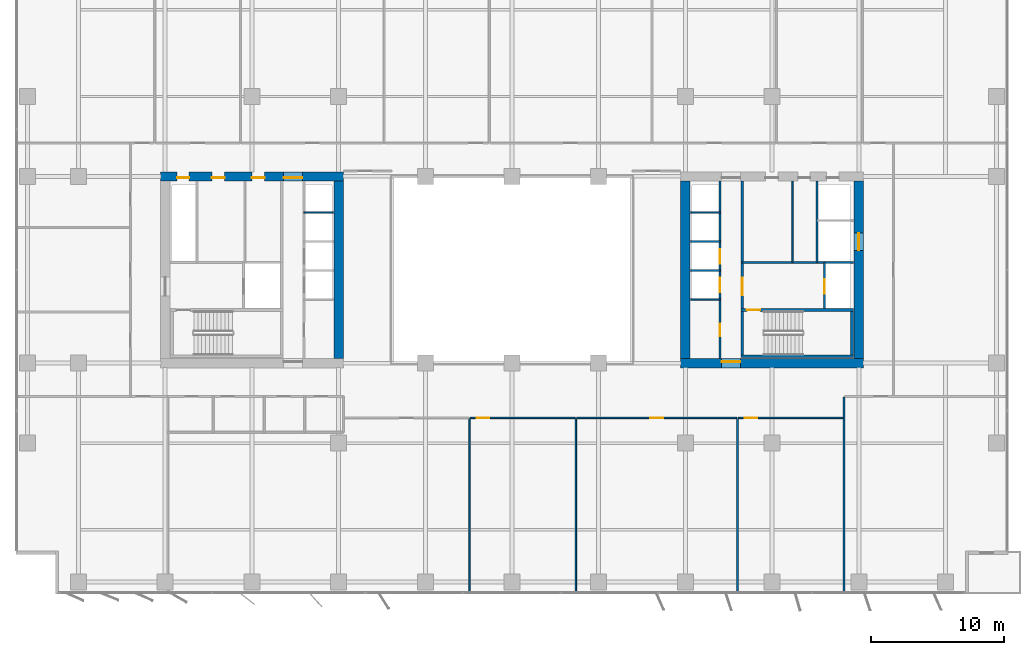
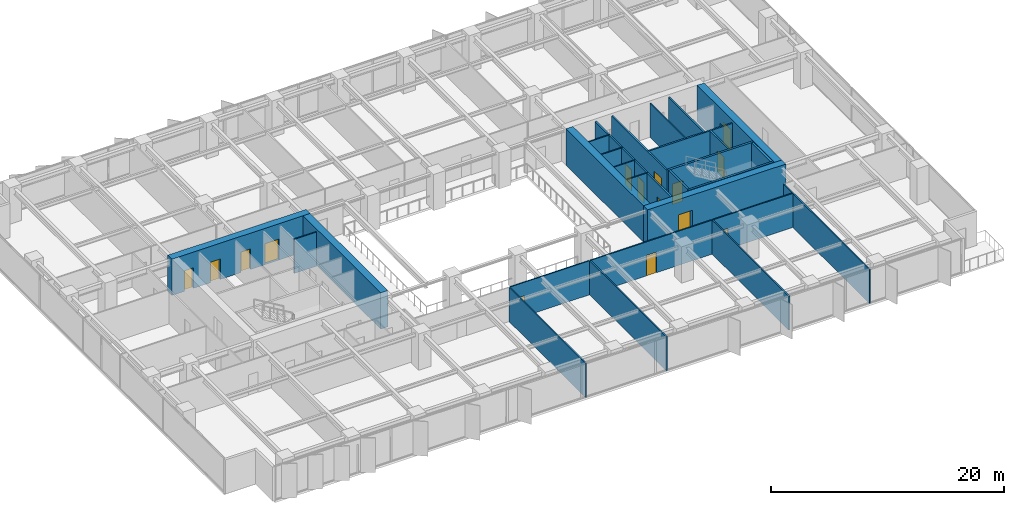
# One storey, part 14 of 20: 27 walls, 15 doors, 15 openings.
"""IFC4 building model written with IfcOpenShell, lengths in metres."""

from ifc_helpers import new_model, si_unit, direction, frame, frame_2d, origin, place, context, subcontext, project, spatial, rectangle, extrude, material, layer, layer_set, type_object, element, fill, save


model = new_model("IFC4")

# Units and contexts
model_context = context("Model", 3, precision=1e-05, world=origin(), true_north=direction((0.0, 1.0)))
body_context = subcontext(model_context, "Body", "Model", "MODEL_VIEW")
ifc_project = project(units=[si_unit("LENGTHUNIT", "METRE"), si_unit("AREAUNIT", "SQUARE_METRE"), si_unit("VOLUMEUNIT", "CUBIC_METRE"), si_unit("PLANEANGLEUNIT", "RADIAN"), si_unit("MASSUNIT", "GRAM", prefix="KILO")], contexts=[model_context])

# Site, building, storey
site_placement = place(None, origin())
site = spatial("IfcSite", under=ifc_project, at=site_placement, CompositionType="ELEMENT")
building_placement = place(site_placement, origin())
building = spatial("IfcBuilding", under=site, at=building_placement, Name="Putna Gate Headquarters", CompositionType="ELEMENT")
storey_placement = place(building_placement, frame((0.0, 0.0, 120.199951171875)))
storey = spatial("IfcBuildingStorey", under=building, at=storey_placement, Name="L29", CompositionType="ELEMENT", Elevation=120.199951171875)

# Wall, openings, doors
ifc_material_1 = material(Name="Concrete C60/75", Category="concrete")
ifc_layer_1 = layer(ifc_material_1, 0.699951171875)
ifc_layer_set_1 = layer_set([ifc_layer_1], Name="Concrete C60/75")
wall_type_1 = type_object("IfcWallType", Name="WALL-CORE-700", PredefinedType="SHEAR", material=ifc_layer_set_1)
wall_1_placement = place(storey_placement, frame((12.64990234375, 33.0, 0.0), z_axis=(0.0, 0.0, 1.0), x_axis=(1.0, 0.0, 0.0)))
wall_1 = element("IfcWall", 1, at=wall_1_placement, inside=storey, type_object=wall_type_1, Name="L29 WC Split Core Shear Wall N", PredefinedType="SHEAR", context=body_context, shape_type="SweptSolid", body=[
    extrude(rectangle(XDim=13.7001953125, YDim=0.699951171875, at=frame_2d((6.85009765625, 0.0))), origin(), (0.0, 0.0, 1.0), 3.800048828125),
])
opening_1_placement = place(wall_1_placement, frame((1.25, 0.0, 0.0)))
opening_1 = element("IfcOpeningElement", 2, at=opening_1_placement, cuts=wall_1, Name="Opening RD-90", PredefinedType="OPENING", context=body_context, shape_type="SweptSolid", body=[
    extrude(rectangle(XDim=0.89990234375, YDim=2.14990234375, at=frame_2d((0.449951171875, 1.074951171875))), frame((0.0, 0.35986328125, 0.0), z_axis=(0.0, -1.0, 0.0), x_axis=(1.0, 0.0, 0.0)), (0.0, 0.0, 1.0), 0.719970703125),
])
opening_2_placement = place(wall_1_placement, frame((3.85009765625, 0.0, 0.0)))
opening_2 = element("IfcOpeningElement", 3, at=opening_2_placement, cuts=wall_1, Name="Opening IDS-95", PredefinedType="OPENING", context=body_context, shape_type="SweptSolid", body=[
    extrude(rectangle(XDim=0.949951171875, YDim=2.14990234375, at=frame_2d((0.47509765625, 1.074951171875))), frame((0.0, 0.35986328125, 0.0), z_axis=(0.0, -1.0, 0.0), x_axis=(1.0, 0.0, 0.0)), (0.0, 0.0, 1.0), 0.719970703125),
])
opening_3_placement = place(wall_1_placement, frame((6.85009765625, 0.0, 0.0)))
opening_3 = element("IfcOpeningElement", 4, at=opening_3_placement, cuts=wall_1, Name="Opening IDS-95", PredefinedType="OPENING", context=body_context, shape_type="SweptSolid", body=[
    extrude(rectangle(XDim=0.949951171875, YDim=2.14990234375, at=frame_2d((0.47509765625, 1.074951171875))), frame((0.0, 0.35986328125, 0.0), z_axis=(0.0, -1.0, 0.0), x_axis=(1.0, 0.0, 0.0)), (0.0, 0.0, 1.0), 0.719970703125),
])
opening_4_placement = place(wall_1_placement, frame((9.22998046875, 0.0, 0.0)))
opening_4 = element("IfcOpeningElement", 5, at=opening_4_placement, cuts=wall_1, Name="Opening FDD-140", PredefinedType="OPENING", context=body_context, shape_type="SweptSolid", body=[
    extrude(rectangle(XDim=1.39990234375, YDim=2.199951171875, at=frame_2d((0.699951171875, 1.10009765625))), frame((0.0, 0.35986328125, 0.0), z_axis=(0.0, -1.0, 0.0), x_axis=(1.0, 0.0, 0.0)), (0.0, 0.0, 1.0), 0.719970703125),
])
ifc_material_2 = material(Name="Double steel fire door", Category="steel")
door_type_1 = type_object("IfcDoorType", Name="DOOR-FIRE-DBL-1400", OperationType="DOUBLE_DOOR_SINGLE_SWING", PredefinedType="DOOR", material=ifc_material_2)
door_1_placement = place(opening_4_placement, origin())
door_1 = element("IfcDoor", 6, at=door_1_placement, inside=storey, type_object=door_type_1, Name="L29 West Lift Lobby North Door", OperationType="DOUBLE_DOOR_SINGLE_SWING", OverallHeight=2.199951171875, OverallWidth=1.39990234375, PredefinedType="DOOR", context=body_context, shape_type="SweptSolid", body=[
    extrude(rectangle(XDim=1.39990234375, YDim=2.199951171875, at=frame_2d((0.699951171875, 1.10009765625))), frame((0.0, -0.0751953125, 0.0), z_axis=(0.0, -1.0, 0.0), x_axis=(1.0, 0.0, 0.0)), (0.0, 0.0, 1.0), 0.050048828125),
])
fill(opening_4, door_1)
ifc_material_3 = material(Name="Fire-rated service timber door", Category="wood")
door_type_2 = type_object("IfcDoorType", Name="DOOR-INT-950", OperationType="NOTDEFINED", PredefinedType="DOOR", material=ifc_material_3)
door_2_placement = place(opening_2_placement, origin())
door_2 = element("IfcDoor", 7, at=door_2_placement, inside=storey, type_object=door_type_2, Name="L29 Cleaner Store Door", OperationType="SINGLE_SWING_LEFT", OverallHeight=2.14990234375, OverallWidth=0.949951171875, PredefinedType="DOOR", context=body_context, shape_type="SweptSolid", body=[
    extrude(rectangle(XDim=0.949951171875, YDim=2.14990234375, at=frame_2d((0.47509765625, 1.074951171875))), frame((0.0, -0.0751953125, 0.0), z_axis=(0.0, -1.0, 0.0), x_axis=(1.0, 0.0, 0.0)), (0.0, 0.0, 1.0), 0.050048828125),
])
fill(opening_2, door_2)
door_3_placement = place(opening_3_placement, origin())
door_3 = element("IfcDoor", 8, at=door_3_placement, inside=storey, type_object=door_type_2, Name="L29 Comms Plant Door", OperationType="SINGLE_SWING_RIGHT", OverallHeight=2.14990234375, OverallWidth=0.949951171875, PredefinedType="DOOR", context=body_context, shape_type="SweptSolid", body=[
    extrude(rectangle(XDim=0.949951171875, YDim=2.14990234375, at=frame_2d((0.47509765625, 1.074951171875))), frame((0.0, -0.0751953125, 0.0), z_axis=(0.0, -1.0, 0.0), x_axis=(1.0, 0.0, 0.0)), (0.0, 0.0, 1.0), 0.050048828125),
])
fill(opening_3, door_3)
ifc_material_4 = material(Name="Steel riser access fire door", Category="steel")
door_type_3 = type_object("IfcDoorType", Name="DOOR-RISER-900", OperationType="NOTDEFINED", PredefinedType="DOOR", material=ifc_material_4)
door_4_placement = place(opening_1_placement, origin())
door_4 = element("IfcDoor", 9, at=door_4_placement, inside=storey, type_object=door_type_3, Name="L29 West Riser Access Door", OperationType="SINGLE_SWING_RIGHT", OverallHeight=2.14990234375, OverallWidth=0.89990234375, PredefinedType="DOOR", context=body_context, shape_type="SweptSolid", body=[
    extrude(rectangle(XDim=0.89990234375, YDim=2.14990234375, at=frame_2d((0.449951171875, 1.074951171875))), frame((0.0, -0.0751953125, 0.0), z_axis=(0.0, -1.0, 0.0), x_axis=(1.0, 0.0, 0.0)), (0.0, 0.0, 1.0), 0.050048828125),
])
fill(opening_1, door_4)

# Wall
wall_2_placement = place(storey_placement, frame((26.0, 19.35009765625, 0.0), z_axis=(0.0, 0.0, 1.0), x_axis=(0.0, 1.0, 0.0)))
element("IfcWall", 10, at=wall_2_placement, inside=storey, type_object=wall_type_1, Name="L29 WC Split Core Shear Wall E", PredefinedType="SHEAR", context=body_context, shape_type="SweptSolid", body=[
    extrude(rectangle(XDim=13.2998046875, YDim=0.699951171875, at=frame_2d((6.64990234375, 0.0))), origin(), (0.0, 0.0, 1.0), 3.800048828125),
])

# Wall, opening, door
wall_3_placement = place(storey_placement, frame((51.64990234375, 19.0, 0.0), z_axis=(0.0, 0.0, 1.0), x_axis=(1.0, 0.0, 0.0)))
wall_3 = element("IfcWall", 11, at=wall_3_placement, inside=storey, type_object=wall_type_1, Name="L29 EC Split Core Shear Wall S", PredefinedType="SHEAR", context=body_context, shape_type="SweptSolid", body=[
    extrude(rectangle(XDim=13.7001953125, YDim=0.699951171875, at=frame_2d((6.85009765625, 0.0))), origin(), (0.0, 0.0, 1.0), 3.800048828125),
])
opening_5_placement = place(wall_3_placement, frame((3.070068359375, 0.0, 0.0)))
opening_5 = element("IfcOpeningElement", 12, at=opening_5_placement, cuts=wall_3, Name="Opening FDD-140", PredefinedType="OPENING", context=body_context, shape_type="SweptSolid", body=[
    extrude(rectangle(XDim=1.39990234375, YDim=2.199951171875, at=frame_2d((0.699951171875, 1.10009765625))), frame((0.0, 0.35986328125, 0.0), z_axis=(0.0, -1.0, 0.0), x_axis=(1.0, 0.0, 0.0)), (0.0, 0.0, 1.0), 0.719970703125),
])
door_5_placement = place(opening_5_placement, origin())
door_5 = element("IfcDoor", 13, at=door_5_placement, inside=storey, type_object=door_type_1, Name="L29 East Lift Lobby South Door", OperationType="DOUBLE_DOOR_SINGLE_SWING", OverallHeight=2.199951171875, OverallWidth=1.39990234375, PredefinedType="DOOR", context=body_context, shape_type="SweptSolid", body=[
    extrude(rectangle(XDim=1.39990234375, YDim=2.199951171875, at=frame_2d((0.699951171875, 1.10009765625))), frame((0.0, 0.125, 0.0), z_axis=(0.0, -1.0, 0.0), x_axis=(1.0, 0.0, 0.0)), (0.0, 0.0, 1.0), 0.050048828125),
])
fill(opening_5, door_5)

# Wall
wall_4_placement = place(storey_placement, frame((52.0, 19.35009765625, 0.0), z_axis=(0.0, 0.0, 1.0), x_axis=(0.0, 1.0, 0.0)))
element("IfcWall", 14, at=wall_4_placement, inside=storey, type_object=wall_type_1, Name="L29 EC Split Core Shear Wall W", PredefinedType="SHEAR", context=body_context, shape_type="SweptSolid", body=[
    extrude(rectangle(XDim=13.2998046875, YDim=0.699951171875, at=frame_2d((6.64990234375, 0.0))), origin(), (0.0, 0.0, 1.0), 3.800048828125),
])

# Wall, opening, door
wall_5_placement = place(storey_placement, frame((65.0, 19.35009765625, 0.0), z_axis=(0.0, 0.0, 1.0), x_axis=(0.0, 1.0, 0.0)))
wall_5 = element("IfcWall", 15, at=wall_5_placement, inside=storey, type_object=wall_type_1, Name="L29 EC Split Core Shear Wall E", PredefinedType="SHEAR", context=body_context, shape_type="SweptSolid", body=[
    extrude(rectangle(XDim=13.2998046875, YDim=0.699951171875, at=frame_2d((6.64990234375, 0.0))), origin(), (0.0, 0.0, 1.0), 3.800048828125),
])
opening_6_placement = place(wall_5_placement, frame((8.10009765625, 0.0, 0.0)))
opening_6 = element("IfcOpeningElement", 16, at=opening_6_placement, cuts=wall_5, Name="Opening LD-2", PredefinedType="OPENING", context=body_context, shape_type="SweptSolid", body=[
    extrude(rectangle(XDim=1.300048828125, YDim=2.199951171875, at=frame_2d((0.64990234375, 1.10009765625))), frame((0.0, 0.35986328125, 0.0), z_axis=(0.0, -1.0, 0.0), x_axis=(1.0, 0.0, 0.0)), (0.0, 0.0, 1.0), 0.719970703125),
])
ifc_material_5 = material(Name="Heavy-duty goods lift sliding landing door")
door_type_4 = type_object("IfcDoorType", Name="DOOR-LIFT-1300", OperationType="DOUBLE_DOOR_SLIDING", PredefinedType="DOOR", material=ifc_material_5)
door_6_placement = place(opening_6_placement, origin())
door_6 = element("IfcDoor", 17, at=door_6_placement, inside=storey, type_object=door_type_4, Name="L29 Goods Lift Landing Door LD-15", OperationType="DOUBLE_DOOR_SLIDING", OverallHeight=2.199951171875, OverallWidth=1.300048828125, PredefinedType="DOOR", context=body_context, shape_type="SweptSolid", body=[
    extrude(rectangle(XDim=1.300048828125, YDim=2.199951171875, at=frame_2d((0.64990234375, 1.10009765625))), frame((0.0, 0.02490234375, 0.0), z_axis=(0.0, -1.0, 0.0), x_axis=(1.0, 0.0, 0.0)), (0.0, 0.0, 1.0), 0.050048828125),
])
fill(opening_6, door_6)

# Walls
ifc_material_6 = material(Name="Acoustic gypsum board on metal stud")
ifc_layer_2 = layer(ifc_material_6, 0.1201171875)
ifc_layer_set_2 = layer_set([ifc_layer_2], Name="Acoustic gypsum board on metal stud")
wall_type_2 = type_object("IfcWallType", Name="WALL-PART-120", PredefinedType="PARTITIONING", material=ifc_layer_set_2)
for number, where, z_axis, x_axis, name in (
    (18, (35.800048828125, 1.719970703125, 0.0), (0.0, 0.0, 1.0), (0.0, 1.0, 0.0), "L29 Interior Wall PART-L29-SB-DIV-02"),
    (19, (43.784912109375, 1.719970703125, 0.0), (0.0, 0.0, 1.0), (0.0, 1.0, 0.0), "L29 Interior Wall PART-L29-SB-DIV-03"),
    (20, (55.909912109375, 1.719970703125, 0.0), (0.0, 0.0, 1.0), (0.0, 1.0, 0.0), "L29 Interior Wall PART-L29-SB-DIV-04"),
):
    element("IfcWall", number, at=place(storey_placement, frame(where, z_axis=z_axis, x_axis=x_axis)), inside=storey, type_object=wall_type_2, Name=name, PredefinedType="PARTITIONING", context=body_context, shape_type="SweptSolid", body=[
        extrude(rectangle(XDim=13.1201171875, YDim=0.1201171875, at=frame_2d((6.56005859375, 0.0))), origin(), (0.0, 0.0, 1.0), 3.56494140625),
    ])
wall_6_placement = place(storey_placement, frame((63.89501953125, 1.719970703125, 0.0), z_axis=(0.0, 0.0, 1.0), x_axis=(0.0, 1.0, 0.0)))
element("IfcWall", 21, at=wall_6_placement, inside=storey, type_object=wall_type_2, Name="L29 Interior Wall PART-L29-SB-DIV-05", PredefinedType="PARTITIONING", context=body_context, shape_type="SweptSolid", body=[
    extrude(rectangle(XDim=14.719970703125, YDim=0.1201171875, at=frame_2d((7.35986328125, 0.0))), origin(), (0.0, 0.0, 1.0), 3.56494140625),
])
ifc_material_7 = material(Name="Fire-rated shaftwall gypsum board on metal stud")
ifc_layer_3 = layer(ifc_material_7, 0.1201171875)
ifc_layer_set_3 = layer_set([ifc_layer_3], Name="Fire-rated shaftwall gypsum board on metal stud")
wall_type_3 = type_object("IfcWallType", Name="WALL-PART-120-EI120", PredefinedType="PARTITIONING", material=ifc_layer_set_3)
for number, where, z_axis, x_axis, name in (
    (22, (23.39990234375, 30.31005859375, 0.0), (0.0, 0.0, 1.0), (1.0, 0.0, 0.0), "L29 Interior Wall CWINT-L29-WC-LF09-DIV"),
    (23, (52.39990234375, 25.949951171875, 0.0), (0.0, 0.0, 1.0), (1.0, 0.0, 0.0), "L29 Interior Wall CWINT-L29-EC-LF07-DIV"),
    (24, (52.39990234375, 28.1201171875, 0.0), (0.0, 0.0, 1.0), (1.0, 0.0, 0.0), "L29 Interior Wall CWINT-L29-EC-LF08-DIV"),
    (25, (52.39990234375, 30.31005859375, 0.0), (0.0, 0.0, 1.0), (1.0, 0.0, 0.0), "L29 Interior Wall CWINT-L29-EC-LF11-DIV"),
):
    element("IfcWall", number, at=place(storey_placement, frame(where, z_axis=z_axis, x_axis=x_axis)), inside=storey, type_object=wall_type_3, Name=name, PredefinedType="PARTITIONING", context=body_context, shape_type="SweptSolid", body=[
        extrude(rectangle(XDim=2.2001953125, YDim=0.1201171875, at=frame_2d((1.10009765625, 0.0))), origin(), (0.0, 0.0, 1.0), 3.56494140625),
    ])
ifc_material_8 = material(Name="Fire-rated gypsum board on metal stud")
ifc_layer_4 = layer(ifc_material_8, 0.1201171875)
ifc_layer_set_4 = layer_set([ifc_layer_4], Name="Fire-rated gypsum board on metal stud")
wall_type_4 = type_object("IfcWallType", Name="WALL-PART-120-RATED", PredefinedType="PARTITIONING", material=ifc_layer_set_4)
wall_7_placement = place(storey_placement, frame((52.39990234375, 23.780029296875, 0.0), z_axis=(0.0, 0.0, 1.0), x_axis=(1.0, 0.0, 0.0)))
element("IfcWall", 26, at=wall_7_placement, inside=storey, type_object=wall_type_4, Name="L29 Interior Wall CWINT-L29-EC-LF04-DIV", PredefinedType="PARTITIONING", context=body_context, shape_type="SweptSolid", body=[
    extrude(rectangle(XDim=2.2001953125, YDim=0.1201171875, at=frame_2d((1.10009765625, 0.0))), origin(), (0.0, 0.0, 1.0), 3.56494140625),
])
wall_8_placement = place(storey_placement, frame((60.02001953125, 26.56005859375, 0.0), z_axis=(0.0, 0.0, 1.0), x_axis=(0.0, 1.0, 0.0)))
element("IfcWall", 27, at=wall_8_placement, inside=storey, type_object=wall_type_4, Name="L29 Interior Wall CWINT-L29-EC-K0-DIV", PredefinedType="PARTITIONING", context=body_context, shape_type="SweptSolid", body=[
    extrude(rectangle(XDim=6.08984375, YDim=0.1201171875, at=frame_2d((3.044921875, 0.0))), origin(), (0.0, 0.0, 1.0), 3.56494140625),
])

# Wall, opening, door
wall_9_placement = place(storey_placement, frame((35.860107421875, 14.89990234375, 0.0), z_axis=(0.0, 0.0, 1.0), x_axis=(1.0, 0.0, 0.0)))
wall_9 = element("IfcWall", 28, at=wall_9_placement, inside=storey, type_object=wall_type_4, Name="L29 Interior Wall PART-L29-SB-CW-03", PredefinedType="PARTITIONING", context=body_context, shape_type="SweptSolid", body=[
    extrude(rectangle(XDim=7.86474609375, YDim=0.1201171875, at=frame_2d((3.932373046875, 0.0))), origin(), (0.0, 0.0, 1.0), 3.56494140625),
])
opening_7_placement = place(wall_9_placement, frame((0.47998046875, 0.0, 0.0)))
opening_7 = element("IfcOpeningElement", 29, at=opening_7_placement, cuts=wall_9, Name="Opening FD-95", PredefinedType="OPENING", context=body_context, shape_type="SweptSolid", body=[
    extrude(rectangle(XDim=0.949951171875, YDim=2.14990234375, at=frame_2d((0.47509765625, 1.074951171875))), frame((0.0, 0.070068359375, 0.0), z_axis=(0.0, -1.0, 0.0), x_axis=(1.0, 0.0, 0.0)), (0.0, 0.0, 1.0), 0.14013671875),
])
ifc_material_9 = material(Name="Acoustic timber fire door", Category="wood")
door_type_5 = type_object("IfcDoorType", Name="DOOR-FIRE-950", OperationType="NOTDEFINED", PredefinedType="DOOR", material=ifc_material_9)
door_7_placement = place(opening_7_placement, origin())
door_7 = element("IfcDoor", 30, at=door_7_placement, inside=storey, type_object=door_type_5, Name="L29 Collaborative Breakout Lounge 1 Door", OperationType="SINGLE_SWING_LEFT", OverallHeight=2.14990234375, OverallWidth=0.949951171875, PredefinedType="DOOR", context=body_context, shape_type="SweptSolid", body=[
    extrude(rectangle(XDim=0.949951171875, YDim=2.14990234375, at=frame_2d((0.47509765625, 1.074951171875))), frame((0.0, 0.02490234375, 0.0), z_axis=(0.0, -1.0, 0.0), x_axis=(1.0, 0.0, 0.0)), (0.0, 0.0, 1.0), 0.050048828125),
])
fill(opening_7, door_7)

wall_10_placement = place(storey_placement, frame((43.844970703125, 14.89990234375, 0.0), z_axis=(0.0, 0.0, 1.0), x_axis=(1.0, 0.0, 0.0)))
wall_10 = element("IfcWall", 31, at=wall_10_placement, inside=storey, type_object=wall_type_4, Name="L29 Interior Wall PART-L29-SB-CW-04", PredefinedType="PARTITIONING", context=body_context, shape_type="SweptSolid", body=[
    extrude(rectangle(XDim=12.005126953125, YDim=0.1201171875, at=frame_2d((6.00244140625, 0.0))), origin(), (0.0, 0.0, 1.0), 3.56494140625),
])
opening_8_placement = place(wall_10_placement, frame((5.527587890625, 0.0, 0.0)))
opening_8 = element("IfcOpeningElement", 32, at=opening_8_placement, cuts=wall_10, Name="Opening FD-95", PredefinedType="OPENING", context=body_context, shape_type="SweptSolid", body=[
    extrude(rectangle(XDim=0.949951171875, YDim=2.14990234375, at=frame_2d((0.47509765625, 1.074951171875))), frame((0.0, 0.070068359375, 0.0), z_axis=(0.0, -1.0, 0.0), x_axis=(1.0, 0.0, 0.0)), (0.0, 0.0, 1.0), 0.14013671875),
])
door_8_placement = place(opening_8_placement, origin())
door_8 = element("IfcDoor", 33, at=door_8_placement, inside=storey, type_object=door_type_5, Name="L29 Collaborative Breakout Lounge 2 Door", OperationType="SINGLE_SWING_RIGHT", OverallHeight=2.14990234375, OverallWidth=0.949951171875, PredefinedType="DOOR", context=body_context, shape_type="SweptSolid", body=[
    extrude(rectangle(XDim=0.949951171875, YDim=2.14990234375, at=frame_2d((0.47509765625, 1.074951171875))), frame((0.0, 0.02490234375, 0.0), z_axis=(0.0, -1.0, 0.0), x_axis=(1.0, 0.0, 0.0)), (0.0, 0.0, 1.0), 0.050048828125),
])
fill(opening_8, door_8)

wall_11_placement = place(storey_placement, frame((55.969970703125, 14.89990234375, 0.0), z_axis=(0.0, 0.0, 1.0), x_axis=(1.0, 0.0, 0.0)))
wall_11 = element("IfcWall", 34, at=wall_11_placement, inside=storey, type_object=wall_type_4, Name="L29 Interior Wall PART-L29-SB-CW-05", PredefinedType="PARTITIONING", context=body_context, shape_type="SweptSolid", body=[
    extrude(rectangle(XDim=7.864990234375, YDim=0.1201171875, at=frame_2d((3.9326171875, 0.0))), origin(), (0.0, 0.0, 1.0), 3.56494140625),
])
opening_9_placement = place(wall_11_placement, frame((0.47998046875, 0.0, 0.0)))
opening_9 = element("IfcOpeningElement", 35, at=opening_9_placement, cuts=wall_11, Name="Opening FD-95", PredefinedType="OPENING", context=body_context, shape_type="SweptSolid", body=[
    extrude(rectangle(XDim=0.949951171875, YDim=2.14990234375, at=frame_2d((0.47509765625, 1.074951171875))), frame((0.0, 0.070068359375, 0.0), z_axis=(0.0, -1.0, 0.0), x_axis=(1.0, 0.0, 0.0)), (0.0, 0.0, 1.0), 0.14013671875),
])
door_9_placement = place(opening_9_placement, origin())
door_9 = element("IfcDoor", 36, at=door_9_placement, inside=storey, type_object=door_type_5, Name="L29 Collaborative Breakout Lounge 3 Door", OperationType="SINGLE_SWING_LEFT", OverallHeight=2.14990234375, OverallWidth=0.949951171875, PredefinedType="DOOR", context=body_context, shape_type="SweptSolid", body=[
    extrude(rectangle(XDim=0.949951171875, YDim=2.14990234375, at=frame_2d((0.47509765625, 1.074951171875))), frame((0.0, 0.02490234375, 0.0), z_axis=(0.0, -1.0, 0.0), x_axis=(1.0, 0.0, 0.0)), (0.0, 0.0, 1.0), 0.050048828125),
])
fill(opening_9, door_9)

# Wall, openings, doors
ifc_material_10 = material(Name="Concrete C40/50", Category="concrete")
ifc_layer_5 = layer(ifc_material_10, 0.159912109375)
ifc_layer_set_5 = layer_set([ifc_layer_5], Name="Concrete C40/50")
wall_type_5 = type_object("IfcWallType", Name="WALL-SHAFT-160", PredefinedType="STANDARD", material=ifc_layer_set_5)
wall_12_placement = place(storey_placement, frame((54.60009765625, 19.35009765625, 0.0), z_axis=(0.0, 0.0, 1.0), x_axis=(0.0, 1.0, 0.0)))
wall_12 = element("IfcWall", 37, at=wall_12_placement, inside=storey, type_object=wall_type_5, Name="L29 Interior Wall CWINT-L29-EC-PL-WALL", PredefinedType="STANDARD", context=body_context, shape_type="SweptSolid", body=[
    extrude(rectangle(XDim=13.2998046875, YDim=0.159912109375, at=frame_2d((6.64990234375, 0.0))), origin(), (0.0, 0.0, 1.0), 3.56494140625),
])
opening_10_placement = place(wall_12_placement, frame((1.64990234375, 0.0, 0.0)))
opening_10 = element("IfcOpeningElement", 38, at=opening_10_placement, cuts=wall_12, Name="Opening IDS-95", PredefinedType="OPENING", context=body_context, shape_type="SweptSolid", body=[
    extrude(rectangle(XDim=0.949951171875, YDim=2.14990234375, at=frame_2d((0.47509765625, 1.074951171875))), frame((0.0, 0.08984375, 0.0), z_axis=(0.0, -1.0, 0.0), x_axis=(1.0, 0.0, 0.0)), (0.0, 0.0, 1.0), 0.179931640625),
])
opening_11_placement = place(wall_12_placement, frame((4.949951171875, 0.0, 0.0)))
opening_11 = element("IfcOpeningElement", 39, at=opening_11_placement, cuts=wall_12, Name="Opening LD-1", PredefinedType="OPENING", context=body_context, shape_type="SweptSolid", body=[
    extrude(rectangle(XDim=1.10009765625, YDim=2.199951171875, at=frame_2d((0.550048828125, 1.10009765625))), frame((0.0, 0.08984375, 0.0), z_axis=(0.0, -1.0, 0.0), x_axis=(1.0, 0.0, 0.0)), (0.0, 0.0, 1.0), 0.179931640625),
])
opening_12_placement = place(wall_12_placement, frame((7.10009765625, 0.0, 0.0)))
opening_12 = element("IfcOpeningElement", 40, at=opening_12_placement, cuts=wall_12, Name="Opening LD-1", PredefinedType="OPENING", context=body_context, shape_type="SweptSolid", body=[
    extrude(rectangle(XDim=1.10009765625, YDim=2.199951171875, at=frame_2d((0.550048828125, 1.10009765625))), frame((0.0, 0.08984375, 0.0), z_axis=(0.0, -1.0, 0.0), x_axis=(1.0, 0.0, 0.0)), (0.0, 0.0, 1.0), 0.179931640625),
])
door_10_placement = place(opening_10_placement, origin())
door_10 = element("IfcDoor", 41, at=door_10_placement, inside=storey, type_object=door_type_2, Name="L29 Stationery Store Door", OperationType="SINGLE_SWING_RIGHT", OverallHeight=2.14990234375, OverallWidth=0.949951171875, PredefinedType="DOOR", context=body_context, shape_type="SweptSolid", body=[
    extrude(rectangle(XDim=0.949951171875, YDim=2.14990234375, at=frame_2d((0.47509765625, 1.074951171875))), frame((0.0, 0.02490234375, 0.0), z_axis=(0.0, -1.0, 0.0), x_axis=(1.0, 0.0, 0.0)), (0.0, 0.0, 1.0), 0.050048828125),
])
fill(opening_10, door_10)
ifc_material_11 = material(Name="Brushed bronze stainless lift landing door")
door_type_6 = type_object("IfcDoorType", Name="DOOR-LIFT-1100", OperationType="DOUBLE_DOOR_SLIDING", PredefinedType="DOOR", material=ifc_material_11)
door_11_placement = place(opening_11_placement, origin())
door_11 = element("IfcDoor", 42, at=door_11_placement, inside=storey, type_object=door_type_6, Name="L29 Lift Landing Door LD-07", OperationType="DOUBLE_DOOR_SLIDING", OverallHeight=2.199951171875, OverallWidth=1.10009765625, PredefinedType="DOOR", context=body_context, shape_type="SweptSolid", body=[
    extrude(rectangle(XDim=1.10009765625, YDim=2.199951171875, at=frame_2d((0.550048828125, 1.10009765625))), frame((0.0, 0.02490234375, 0.0), z_axis=(0.0, -1.0, 0.0), x_axis=(1.0, 0.0, 0.0)), (0.0, 0.0, 1.0), 0.050048828125),
])
fill(opening_11, door_11)
door_12_placement = place(opening_12_placement, origin())
door_12 = element("IfcDoor", 43, at=door_12_placement, inside=storey, type_object=door_type_6, Name="L29 Lift Landing Door LD-08", OperationType="DOUBLE_DOOR_SLIDING", OverallHeight=2.199951171875, OverallWidth=1.10009765625, PredefinedType="DOOR", context=body_context, shape_type="SweptSolid", body=[
    extrude(rectangle(XDim=1.10009765625, YDim=2.199951171875, at=frame_2d((0.550048828125, 1.10009765625))), frame((0.0, 0.02490234375, 0.0), z_axis=(0.0, -1.0, 0.0), x_axis=(1.0, 0.0, 0.0)), (0.0, 0.0, 1.0), 0.050048828125),
])
fill(opening_12, door_12)

# Wall, opening, door
wall_13_placement = place(storey_placement, frame((56.260009765625, 23.090087890625, 0.0), z_axis=(0.0, 0.0, 1.0), x_axis=(0.0, 1.0, 0.0)))
wall_13 = element("IfcWall", 44, at=wall_13_placement, inside=storey, type_object=wall_type_5, Name="L29 Interior Wall CWINT-L29-EC-LOB-E", PredefinedType="STANDARD", context=body_context, shape_type="SweptSolid", body=[
    extrude(rectangle(XDim=9.559814453125, YDim=0.159912109375, at=frame_2d((4.77978515625, 0.0))), origin(), (0.0, 0.0, 1.0), 3.56494140625),
])
opening_13_placement = place(wall_13_placement, frame((1.010009765625, 0.0, 0.0)))
opening_13 = element("IfcOpeningElement", 45, at=opening_13_placement, cuts=wall_13, Name="Opening FDD-130", PredefinedType="OPENING", context=body_context, shape_type="SweptSolid", body=[
    extrude(rectangle(XDim=1.300048828125, YDim=2.199951171875, at=frame_2d((0.64990234375, 1.10009765625))), frame((0.0, 0.08984375, 0.0), z_axis=(0.0, -1.0, 0.0), x_axis=(1.0, 0.0, 0.0)), (0.0, 0.0, 1.0), 0.179931640625),
])
ifc_material_12 = material(Name="Double steel lobby fire door", Category="steel")
door_type_7 = type_object("IfcDoorType", Name="DOOR-FIRE-DBL-1300", OperationType="DOUBLE_DOOR_SINGLE_SWING", PredefinedType="DOOR", material=ifc_material_12)
door_13_placement = place(opening_13_placement, origin())
door_13 = element("IfcDoor", 46, at=door_13_placement, inside=storey, type_object=door_type_7, Name="L29 East Firefighting Lobby Door", OperationType="DOUBLE_DOOR_SINGLE_SWING", OverallHeight=2.199951171875, OverallWidth=1.300048828125, PredefinedType="DOOR", context=body_context, shape_type="SweptSolid", body=[
    extrude(rectangle(XDim=1.300048828125, YDim=2.199951171875, at=frame_2d((0.64990234375, 1.10009765625))), frame((0.0, 0.02490234375, 0.0), z_axis=(0.0, -1.0, 0.0), x_axis=(1.0, 0.0, 0.0)), (0.0, 0.0, 1.0), 0.050048828125),
])
fill(opening_13, door_13)

wall_14_placement = place(storey_placement, frame((62.429931640625, 23.090087890625, 0.0), z_axis=(0.0, 0.0, 1.0), x_axis=(0.0, 1.0, 0.0)))
wall_14 = element("IfcWall", 47, at=wall_14_placement, inside=storey, type_object=wall_type_5, Name="L29 Interior Wall CWINT-L29-EC-LF14-W", PredefinedType="STANDARD", context=body_context, shape_type="SweptSolid", body=[
    extrude(rectangle(XDim=3.469970703125, YDim=0.159912109375, at=frame_2d((1.73486328125, 0.0))), origin(), (0.0, 0.0, 1.0), 3.56494140625),
])
opening_14_placement = place(wall_14_placement, frame((1.10009765625, 0.0, 0.0)))
opening_14 = element("IfcOpeningElement", 48, at=opening_14_placement, cuts=wall_14, Name="Opening LD-1", PredefinedType="OPENING", context=body_context, shape_type="SweptSolid", body=[
    extrude(rectangle(XDim=1.10009765625, YDim=2.199951171875, at=frame_2d((0.550048828125, 1.10009765625))), frame((0.0, 0.08984375, 0.0), z_axis=(0.0, -1.0, 0.0), x_axis=(1.0, 0.0, 0.0)), (0.0, 0.0, 1.0), 0.179931640625),
])
door_14_placement = place(opening_14_placement, origin())
door_14 = element("IfcDoor", 49, at=door_14_placement, inside=storey, type_object=door_type_6, Name="L29 Lift Landing Door LD-14", OperationType="DOUBLE_DOOR_SLIDING", OverallHeight=2.199951171875, OverallWidth=1.10009765625, PredefinedType="DOOR", context=body_context, shape_type="SweptSolid", body=[
    extrude(rectangle(XDim=1.10009765625, YDim=2.199951171875, at=frame_2d((0.550048828125, 1.10009765625))), frame((0.0, 0.02490234375, 0.0), z_axis=(0.0, -1.0, 0.0), x_axis=(1.0, 0.0, 0.0)), (0.0, 0.0, 1.0), 0.050048828125),
])
fill(opening_14, door_14)

# Walls
wall_15_placement = place(storey_placement, frame((56.260009765625, 26.56005859375, 0.0), z_axis=(0.0, 0.0, 1.0), x_axis=(1.0, 0.0, 0.0)))
element("IfcWall", 50, at=wall_15_placement, inside=storey, type_object=wall_type_5, Name="L29 Interior Wall CWINT-L29-EC-FFL-N", PredefinedType="STANDARD", context=body_context, shape_type="SweptSolid", body=[
    extrude(rectangle(XDim=8.340087890625, YDim=0.159912109375, at=frame_2d((4.169921875, 0.0))), origin(), (0.0, 0.0, 1.0), 3.56494140625),
])
wall_16_placement = place(storey_placement, frame((61.8701171875, 26.56005859375, 0.0), z_axis=(0.0, 0.0, 1.0), x_axis=(0.0, 1.0, 0.0)))
element("IfcWall", 51, at=wall_16_placement, inside=storey, type_object=wall_type_5, Name="L29 Interior Wall CWINT-L29-EC-LF15-W", PredefinedType="STANDARD", context=body_context, shape_type="SweptSolid", body=[
    extrude(rectangle(XDim=6.08984375, YDim=0.159912109375, at=frame_2d((3.044921875, 0.0))), origin(), (0.0, 0.0, 1.0), 3.56494140625),
])
ifc_layer_6 = layer(ifc_material_10, 0.199951171875)
ifc_layer_set_6 = layer_set([ifc_layer_6], Name="Concrete C40/50")
wall_type_6 = type_object("IfcWallType", Name="WALL-SHAFT-RC200", PredefinedType="SHEAR", material=ifc_layer_set_6)
wall_17_placement = place(storey_placement, frame((56.159912109375, 19.510009765625, 0.0), z_axis=(0.0, 0.0, 1.0), x_axis=(1.0, 0.0, 0.0)))
element("IfcWall", 52, at=wall_17_placement, inside=storey, type_object=wall_type_6, Name="L29 Stair ST2 Structural Shaft Wall S", PredefinedType="SHEAR", context=body_context, shape_type="SweptSolid", body=[
    extrude(rectangle(XDim=8.43017578125, YDim=0.199951171875, at=frame_2d((4.215087890625, 0.0))), origin(), (0.0, 0.0, 1.0), 3.800048828125),
])

# Wall, opening, door
wall_18_placement = place(storey_placement, frame((56.159912109375, 22.989990234375, 0.0), z_axis=(0.0, 0.0, 1.0), x_axis=(1.0, 0.0, 0.0)))
wall_18 = element("IfcWall", 53, at=wall_18_placement, inside=storey, type_object=wall_type_6, Name="L29 Stair ST2 Structural Shaft Wall N", PredefinedType="SHEAR", context=body_context, shape_type="SweptSolid", body=[
    extrude(rectangle(XDim=8.43017578125, YDim=0.199951171875, at=frame_2d((4.215087890625, 0.0))), origin(), (0.0, 0.0, 1.0), 3.800048828125),
])
opening_15_placement = place(wall_18_placement, frame((0.449951171875, 0.0, 0.0)))
opening_15 = element("IfcOpeningElement", 54, at=opening_15_placement, cuts=wall_18, Name="Opening FD-100", PredefinedType="OPENING", context=body_context, shape_type="SweptSolid", body=[
    extrude(rectangle(XDim=1.0, YDim=2.14990234375, at=frame_2d((0.5, 1.074951171875))), frame((0.0, 0.10986328125, 0.0), z_axis=(0.0, -1.0, 0.0), x_axis=(1.0, 0.0, 0.0)), (0.0, 0.0, 1.0), 0.219970703125),
])
ifc_material_13 = material(Name="Powder-coated steel fire door", Category="steel")
door_type_8 = type_object("IfcDoorType", Name="DOOR-FIRE-1000", OperationType="NOTDEFINED", PredefinedType="DOOR", material=ifc_material_13)
door_15_placement = place(opening_15_placement, origin())
door_15 = element("IfcDoor", 55, at=door_15_placement, inside=storey, type_object=door_type_8, Name="L29 Stair ST2 Fire Door", OperationType="SINGLE_SWING_RIGHT", OverallHeight=2.14990234375, OverallWidth=1.0, PredefinedType="DOOR", context=body_context, shape_type="SweptSolid", body=[
    extrude(rectangle(XDim=1.0, YDim=2.14990234375, at=frame_2d((0.5, 1.074951171875))), frame((0.0, 0.02490234375, 0.0), z_axis=(0.0, -1.0, 0.0), x_axis=(1.0, 0.0, 0.0)), (0.0, 0.0, 1.0), 0.050048828125),
])
fill(opening_15, door_15)

# Walls
for number, where, z_axis, x_axis, name in (
    (56, (56.260009765625, 19.610107421875, 0.0), (0.0, 0.0, 1.0), (0.0, 1.0, 0.0), "L29 Stair ST2 Structural Shaft Wall W"),
    (57, (64.489990234375, 19.610107421875, 0.0), (0.0, 0.0, 1.0), (0.0, 1.0, 0.0), "L29 Stair ST2 Structural Shaft Wall E"),
):
    element("IfcWall", number, at=place(storey_placement, frame(where, z_axis=z_axis, x_axis=x_axis)), inside=storey, type_object=wall_type_6, Name=name, PredefinedType="SHEAR", context=body_context, shape_type="SweptSolid", body=[
        extrude(rectangle(XDim=3.27978515625, YDim=0.199951171875, at=frame_2d((1.639892578125, 0.0))), origin(), (0.0, 0.0, 1.0), 3.800048828125),
    ])

save(model, "model.ifc")
